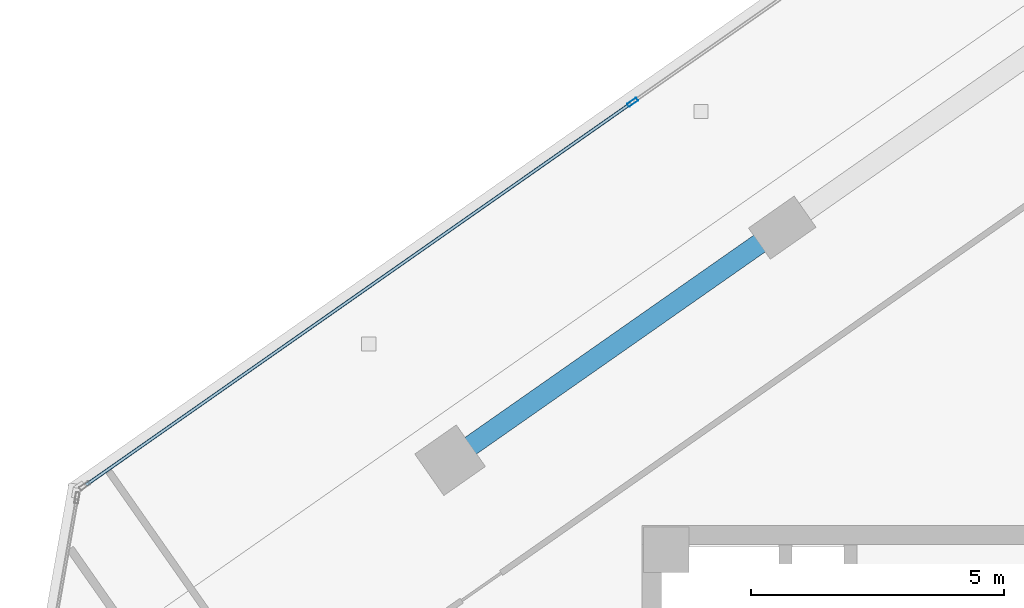
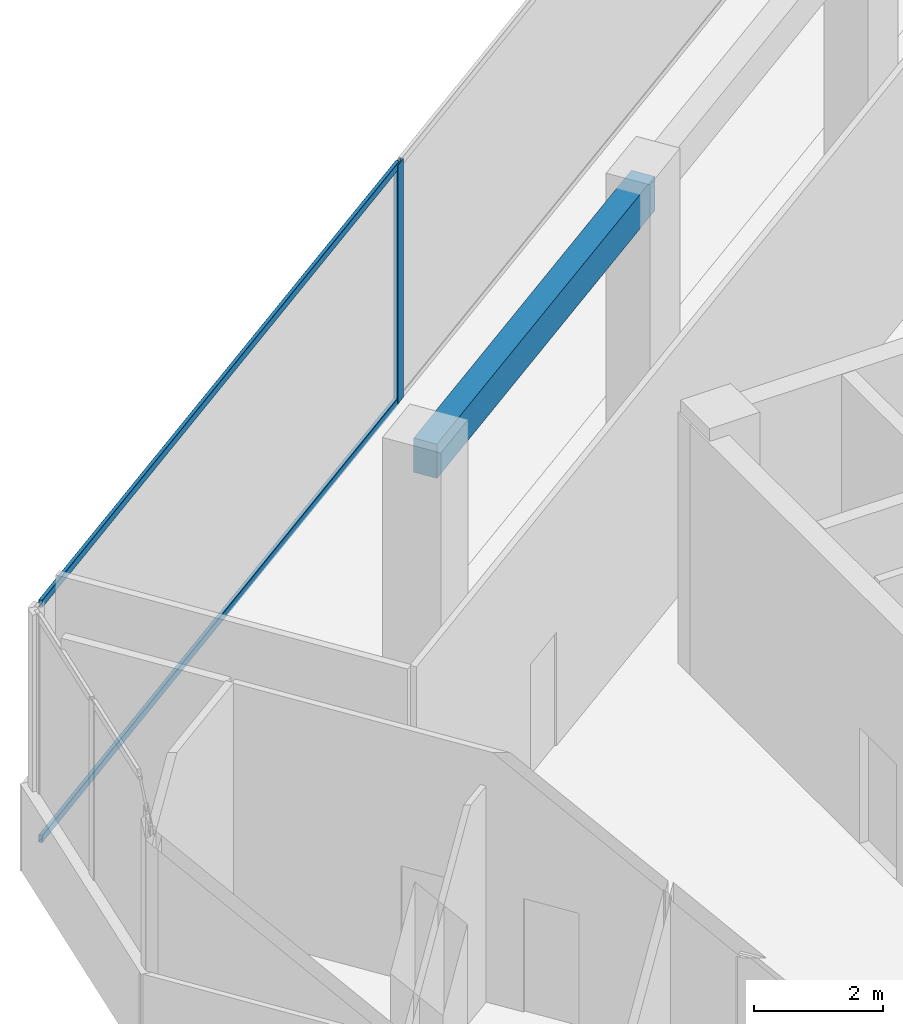
# One storey, part 7 of 16: 3 members, 1 beam, 1 element without a shape of its own.
"""IFC4 building model written with IfcOpenShell, lengths in metres."""

from ifc_helpers import new_model, si_unit, direction, frame, origin, origin_2d, place, context, subcontext, project, spatial, rectangle, hollow_rectangle, extrude, source, transform, mapped, material, material_profile, profile_set, type_object, element, aggregate, save


model = new_model("IFC4")

# Units and contexts
model_context = context("Model", 3, precision=1e-05, world=origin(), true_north=direction((0.0, 1.0)))
body_context = subcontext(model_context, "Body", "Model", "MODEL_VIEW")
ifc_project = project(units=[si_unit("LENGTHUNIT", "METRE"), si_unit("AREAUNIT", "SQUARE_METRE"), si_unit("VOLUMEUNIT", "CUBIC_METRE"), si_unit("PLANEANGLEUNIT", "RADIAN"), si_unit("MASSUNIT", "GRAM", prefix="KILO")], contexts=[model_context])

# Site, building, storey
site_placement = place(None, origin())
site = spatial("IfcSite", under=ifc_project, at=site_placement, CompositionType="ELEMENT")
building_placement = place(site_placement, origin())
building = spatial("IfcBuilding", under=site, at=building_placement, Name="Torre Montelarca", CompositionType="ELEMENT")
storey_placement = place(building_placement, frame((0.0, 0.0, 293.800048828125)))
storey = spatial("IfcBuildingStorey", under=building, at=storey_placement, Name="L66", CompositionType="ELEMENT", Elevation=293.800048828125)

# Beam
ifc_material_1 = material(Name="Concrete C40/50", Category="concrete")
ifc_material_profile_1 = material_profile(ifc_material_1, rectangle(XDim=0.39990234375, YDim=0.64990234375, at=origin_2d()), Name="RCB400X650", Category="concrete")
ifc_profile_set_1 = profile_set([ifc_material_profile_1], Name="Concrete C40/50")
beam_type = type_object("IfcBeamType", Name="BM-SP-RC650-EXT", PredefinedType="SPANDREL", material=ifc_profile_set_1)
shared_shape_1 = source(origin(), body_context, "Body", "SweptSolid", [
    extrude(rectangle(XDim=0.39990234375, YDim=0.64990234375, at=origin_2d()), origin(), (0.0, 0.0, 1.0), 8.0),
])
beam_placement = place(storey_placement, frame((5.281982421875, 41.214111328125, 4.43505859375), z_axis=(0.819151624752, 0.573577035512, 0.0), x_axis=(-0.573577035512, 0.819151624752, 0.0)))
element("IfcBeam", 1, at=beam_placement, inside=storey, type_object=beam_type, Name="L66 Grid Girder Y 24.0-32.0 at X=4.7", PredefinedType="SPANDREL", context=body_context, shape_type="MappedRepresentation", body=[
    mapped(shared_shape_1, transform((0.0, 0.0, 0.0), scale=1.0)),
])

# Curtain wall, members
ifc_material_2 = material(Name="Insulated low-E laminated glass", Category="glass")
curtain_wall_type = type_object("IfcCurtainWallType", Name="CW-SYS-Z4", PredefinedType="USERDEFINED", material=ifc_material_2)
curtain_wall_placement = place(storey_placement, origin())
curtain_wall = element("IfcCurtainWall", 2, at=curtain_wall_placement, inside=storey, type_object=curtain_wall_type, Name="L66 Curtain Wall Run CW-T3-L66-E10-B1", ObjectType="UNITISED GLAZING", PredefinedType="USERDEFINED")
ifc_material_3 = material(Name="Anodised aluminium AA 6063-T6", Category="aluminium")
ifc_material_profile_2 = material_profile(ifc_material_3, hollow_rectangle(XDim=0.074951171875, YDim=0.219970703125, WallThickness=0.0048828125, InnerFilletRadius=0.0048828125, OuterFilletRadius=0.010009765625, at=origin_2d()), Name="ALU75X220X5", Category="aluminium")
ifc_profile_set_2 = profile_set([ifc_material_profile_2], Name="Anodised aluminium AA 6063-T6")
member_type_1 = type_object("IfcMemberType", Name="CWM-ALU220", PredefinedType="MULLION", material=ifc_profile_set_2)
shared_shape_2 = source(origin(), body_context, "Body", "SweptSolid", [
    extrude(hollow_rectangle(XDim=0.074951171875, YDim=0.219970703125, WallThickness=0.0048828125, InnerFilletRadius=0.0048828125, OuterFilletRadius=0.010009765625, at=origin_2d()), origin(), (0.0, 0.0, 1.0), 4.52001953125),
])
member_1_placement = place(storey_placement, frame((8.882568359375, 48.2763671875, 0.0), z_axis=(0.0, 0.0, 1.0), x_axis=(0.57357162512, -0.819155413128, 0.0)))
member_1 = element("IfcMember", 3, at=member_1_placement, type_object=member_type_1, Name="CW mullion 2", PredefinedType="MULLION", context=body_context, shape_type="MappedRepresentation", body=[
    mapped(shared_shape_2, transform((0.0, 0.0, 0.0), scale=1.0)),
])
ifc_material_profile_3 = material_profile(ifc_material_3, hollow_rectangle(XDim=0.06494140625, YDim=0.139892578125, WallThickness=0.00390625, InnerFilletRadius=0.00390625, OuterFilletRadius=0.008056640625, at=origin_2d()), Name="ALU65X140X4", Category="aluminium")
ifc_profile_set_3 = profile_set([ifc_material_profile_3], Name="Anodised aluminium AA 6063-T6")
member_type_2 = type_object("IfcMemberType", Name="CWT-ALU140", PredefinedType="USERDEFINED", material=ifc_profile_set_3)
shared_shape_3 = source(origin(), body_context, "Body", "SweptSolid", [
    extrude(hollow_rectangle(XDim=0.06494140625, YDim=0.139892578125, WallThickness=0.00390625, InnerFilletRadius=0.00390625, OuterFilletRadius=0.008056640625, at=origin_2d()), origin(), (0.0, 0.0, 1.0), 13.121826171875),
])
member_2_placement = place(storey_placement, frame((8.851806640625, 48.2548828125, 0.032470703125), z_axis=(-0.819152370225, -0.573575970866, 0.0), x_axis=(0.573575970866, -0.819152370225, 0.0)))
member_2 = element("IfcMember", 4, at=member_2_placement, type_object=member_type_2, Name="CW transom 2.1", ObjectType="TRANSOM", PredefinedType="USERDEFINED", context=body_context, shape_type="MappedRepresentation", body=[
    mapped(shared_shape_3, transform((0.0, 0.0, 0.0), scale=1.0)),
])
member_3_placement = place(storey_placement, frame((8.851806640625, 48.2548828125, 4.487548828125), z_axis=(-0.819152370225, -0.573575970866, 0.0), x_axis=(0.573575970866, -0.819152370225, 0.0)))
member_3 = element("IfcMember", 5, at=member_3_placement, type_object=member_type_2, Name="CW transom 2.2", ObjectType="TRANSOM", PredefinedType="USERDEFINED", context=body_context, shape_type="MappedRepresentation", body=[
    mapped(shared_shape_3, transform((0.0, 0.0, 0.0), scale=1.0)),
])
aggregate(curtain_wall, [member_1, member_2, member_3])

save(model, "model.ifc")
